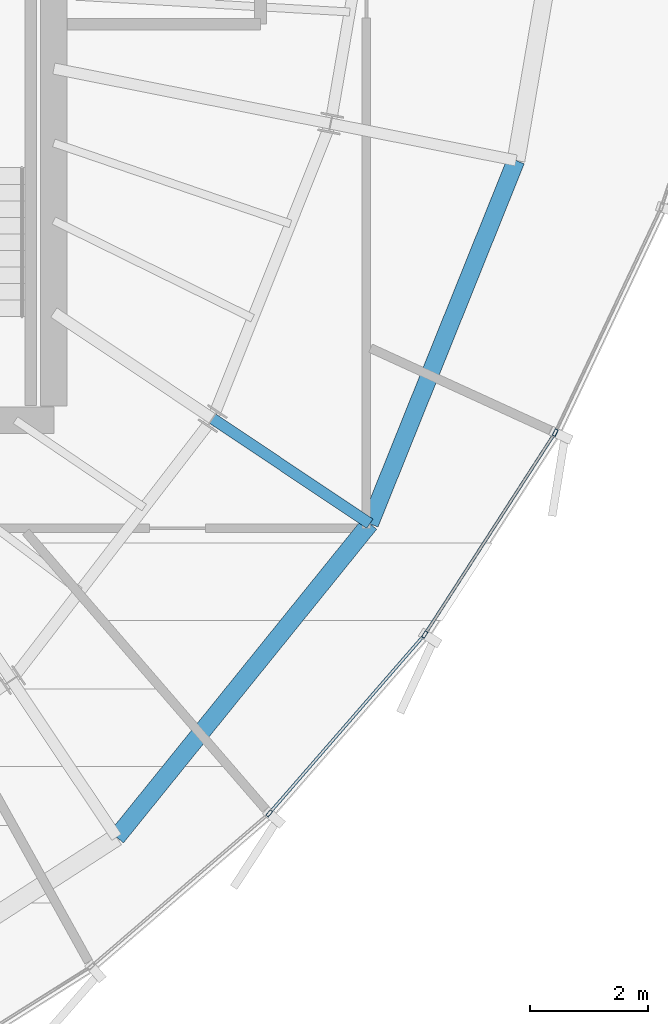
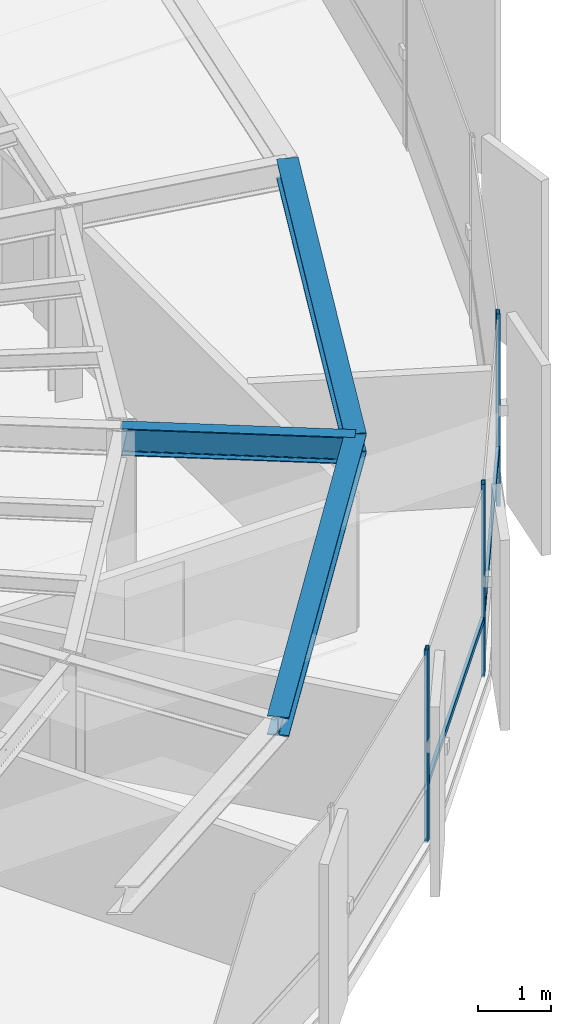
# One storey, part 13 of 35: 5 members, 3 beams, 1 element without a shape of its own.
"""IFC4 building model written with IfcOpenShell, lengths in metres."""

from ifc_helpers import new_model, si_unit, direction, frame, origin, origin_2d, place, context, subcontext, project, spatial, hollow_rectangle, i_section, extrude, source, transform, mapped, material, layer, layer_set, material_profile, profile_set, type_object, element, aggregate, save


model = new_model("IFC4")

# Units and contexts
model_context = context("Model", 3, precision=1e-05, world=origin(), true_north=direction((0.0, 1.0)))
body_context = subcontext(model_context, "Body", "Model", "MODEL_VIEW")
ifc_project = project(units=[si_unit("LENGTHUNIT", "METRE"), si_unit("AREAUNIT", "SQUARE_METRE"), si_unit("VOLUMEUNIT", "CUBIC_METRE"), si_unit("PLANEANGLEUNIT", "RADIAN"), si_unit("MASSUNIT", "GRAM", prefix="KILO"), si_unit("THERMODYNAMICTEMPERATUREUNIT", "KELVIN")], contexts=[model_context])

# Site, building, storey
site_placement = place(None, origin())
site = spatial("IfcSite", under=ifc_project, at=site_placement, CompositionType="ELEMENT")
building_placement = place(site_placement, origin())
building = spatial("IfcBuilding", under=site, at=building_placement, Name="Kethvar Cultural Tower", CompositionType="ELEMENT")
storey_placement = place(building_placement, frame((0.0, 0.0, 249.10009765625)))
storey = spatial("IfcBuildingStorey", under=building, at=storey_placement, Name="L65", CompositionType="ELEMENT", Elevation=249.10009765625)

# Beams
ifc_material_1 = material(Name="Steel S355J2", Category="steel")
ifc_material_profile_1 = material_profile(ifc_material_1, i_section(OverallWidth=0.18994140625, OverallDepth=0.449951171875, WebThickness=0.009521484375, FlangeThickness=0.0146484375, FilletRadius=0.02099609375, at=origin_2d()), Name="Steel S355J2 — IPE450")
ifc_profile_set_1 = profile_set([ifc_material_profile_1], Name="Steel S355J2 — IPE450")
beam_type_1 = type_object("IfcBeamType", Name="BM-IPE450", PredefinedType="BEAM", material=ifc_profile_set_1)
shared_shape_1 = source(origin(), body_context, "Body", "SweptSolid", [
    extrude(i_section(OverallWidth=0.18994140625, OverallDepth=0.449951171875, WebThickness=0.009521484375, FlangeThickness=0.0146484375, FilletRadius=0.02099609375, at=origin_2d()), origin(), (0.0, 0.0, 1.0), 3.199951171875),
])
beam_1_placement = place(storey_placement, frame((58.287109375, 20.12451171875, 2.98291015625), z_axis=(0.831462943996, -0.555580212716, 0.0), x_axis=(0.555580212716, 0.831462943996, 0.0)))
element("IfcBeam", 1, at=beam_1_placement, inside=storey, type_object=beam_type_1, Name="L65 Perimeter Cantilever Beam RC-15", PredefinedType="BEAM", context=body_context, shape_type="MappedRepresentation", body=[
    mapped(shared_shape_1, transform((0.0, 0.0, 0.0), scale=1.0)),
])
ifc_material_profile_2 = material_profile(ifc_material_1, i_section(OverallWidth=0.300048828125, OverallDepth=0.320068359375, WebThickness=0.011474609375, FlangeThickness=0.0205078125, FilletRadius=0.027099609375, at=origin_2d()), Name="Steel S355J2 — HEB320")
ifc_profile_set_2 = profile_set([ifc_material_profile_2], Name="Steel S355J2 — HEB320")
beam_type_2 = type_object("IfcBeamType", Name="BM-SP320", PredefinedType="SPANDREL", material=ifc_profile_set_2)
shared_shape_2 = source(origin(), body_context, "Body", "SweptSolid", [
    extrude(i_section(OverallWidth=0.300048828125, OverallDepth=0.320068359375, WebThickness=0.011474609375, FlangeThickness=0.0205078125, FilletRadius=0.027099609375, at=origin_2d()), origin(), (0.0, 0.0, 1.0), 6.8212890625),
])
beam_2_placement = place(storey_placement, frame((56.66259765625, 13.039306640625, 3.0478515625), z_axis=(0.628197971595, 0.778053538315, 0.0), x_axis=(-0.778053538315, 0.628197971595, 0.0)))
element("IfcBeam", 2, at=beam_2_placement, inside=storey, type_object=beam_type_2, Name="L65 Perimeter Spandrel Beam SP-14", PredefinedType="SPANDREL", context=body_context, shape_type="MappedRepresentation", body=[
    mapped(shared_shape_2, transform((0.0, 0.0, 0.0), scale=1.0)),
])
shared_shape_3 = source(origin(), body_context, "Body", "SweptSolid", [
    extrude(i_section(OverallWidth=0.300048828125, OverallDepth=0.320068359375, WebThickness=0.011474609375, FlangeThickness=0.0205078125, FilletRadius=0.027099609375, at=origin_2d()), origin(), (0.0, 0.0, 1.0), 6.626220703125),
])
beam_3_placement = place(storey_placement, frame((60.94775390625, 18.3466796875, 3.0478515625), z_axis=(0.373416224197, 0.927663906545, 0.0), x_axis=(-0.927663906545, 0.373416224197, 0.0)))
element("IfcBeam", 3, at=beam_3_placement, inside=storey, type_object=beam_type_2, Name="L65 Perimeter Spandrel Beam SP-15", PredefinedType="SPANDREL", context=body_context, shape_type="MappedRepresentation", body=[
    mapped(shared_shape_3, transform((0.0, 0.0, 0.0), scale=1.0)),
])

# Curtain wall, members
ifc_material_2 = material(Name="Aluminium 6063-T6", Category="aluminium")
ifc_layer = layer(ifc_material_2, 0.179931640625, Name="Aluminium 6063-T6", Category="aluminium")
ifc_layer_set = layer_set([ifc_layer], Name="Aluminium 6063-T6 (180 mm)")
curtain_wall_type = type_object("IfcCurtainWallType", Name="CW-SYS-05-Z56", PredefinedType="NOTDEFINED", material=ifc_layer_set)
curtain_wall_placement = place(storey_placement, origin())
curtain_wall = element("IfcCurtainWall", 4, at=curtain_wall_placement, inside=storey, type_object=curtain_wall_type, Name="L65 Curtain Wall Run 05", PredefinedType="NOTDEFINED")
ifc_material_profile_3 = material_profile(ifc_material_2, hollow_rectangle(XDim=0.054931640625, YDim=0.1201171875, WallThickness=0.00390625, at=origin_2d()), Name="Aluminium 6063-T6 — RHS120x55x4")
ifc_profile_set_3 = profile_set([ifc_material_profile_3], Name="Aluminium 6063-T6 — RHS120x55x4")
member_type_1 = type_object("IfcMemberType", Name="CW-SYS-05-Z56-MUL", PredefinedType="MULLION", material=ifc_profile_set_3)
shared_shape_4 = source(origin(), body_context, "Body", "SweptSolid", [
    extrude(hollow_rectangle(XDim=0.054931640625, YDim=0.1201171875, WallThickness=0.00390625, at=origin_2d()), origin(), (0.0, 0.0, 1.0), 3.2099609375),
])
member_1_placement = place(storey_placement, frame((59.244384765625, 13.443115234375, 0.0), z_axis=(0.0, 0.0, 1.0), x_axis=(-0.754686678983, 0.656085372925, 0.0)))
member_1 = element("IfcMember", 5, at=member_1_placement, type_object=member_type_1, Name="CW-L65-R05 Mullion 3", PredefinedType="MULLION", context=body_context, shape_type="MappedRepresentation", body=[
    mapped(shared_shape_4, transform((0.0, 0.0, 0.0), scale=1.0)),
])
member_2_placement = place(storey_placement, frame((61.877685546875, 16.470458984375, 0.0), z_axis=(0.0, 0.0, 1.0), x_axis=(-0.840055682288, 0.542500184935, 0.0)))
member_2 = element("IfcMember", 6, at=member_2_placement, type_object=member_type_1, Name="CW-L65-R05 Mullion 4", PredefinedType="MULLION", context=body_context, shape_type="MappedRepresentation", body=[
    mapped(shared_shape_4, transform((0.0, 0.0, 0.0), scale=1.0)),
])
member_3_placement = place(storey_placement, frame((64.08544921875, 19.8876953125, 0.0), z_axis=(0.0, 0.0, 1.0), x_axis=(-0.904641185076, 0.426174056302, 0.0)))
member_3 = element("IfcMember", 7, at=member_3_placement, type_object=member_type_1, Name="CW-L65-R05 Mullion 5", PredefinedType="MULLION", context=body_context, shape_type="MappedRepresentation", body=[
    mapped(shared_shape_4, transform((0.0, 0.0, 0.0), scale=1.0)),
])
ifc_material_profile_4 = material_profile(ifc_material_2, hollow_rectangle(XDim=0.050048828125, YDim=0.10009765625, WallThickness=0.00390625, at=origin_2d()), Name="Aluminium 6063-T6 — RHS100x50x4")
ifc_profile_set_4 = profile_set([ifc_material_profile_4], Name="Aluminium 6063-T6 — RHS100x50x4")
member_type_2 = type_object("IfcMemberType", Name="CW-SYS-05-Z56-TRN", PredefinedType="USERDEFINED", material=ifc_profile_set_4)
shared_shape_5 = source(origin(), body_context, "Body", "SweptSolid", [
    extrude(hollow_rectangle(XDim=0.050048828125, YDim=0.10009765625, WallThickness=0.00390625, at=origin_2d()), origin(), (0.0, 0.0, 1.0), 3.947265625),
])
member_4_placement = place(storey_placement, frame((59.2705078125, 13.47314453125, 0.949951171875), z_axis=(0.656123585869, 0.754653456937, 0.0), x_axis=(-0.754653456937, 0.656123585869, 0.0)))
member_4 = element("IfcMember", 8, at=member_4_placement, type_object=member_type_2, Name="CW-L65-R05 Transom 3", ObjectType="TRANSOM", PredefinedType="USERDEFINED", context=body_context, shape_type="MappedRepresentation", body=[
    mapped(shared_shape_5, transform((0.0, 0.0, 0.0), scale=1.0)),
])
shared_shape_6 = source(origin(), body_context, "Body", "SweptSolid", [
    extrude(hollow_rectangle(XDim=0.050048828125, YDim=0.10009765625, WallThickness=0.00390625, at=origin_2d()), origin(), (0.0, 0.0, 1.0), 4.002197265625),
])
member_5_placement = place(storey_placement, frame((61.899169921875, 16.50390625, 0.949951171875), z_axis=(0.542492248864, 0.840060807277, 0.0), x_axis=(-0.840060807277, 0.542492248864, 0.0)))
member_5 = element("IfcMember", 9, at=member_5_placement, type_object=member_type_2, Name="CW-L65-R05 Transom 4", ObjectType="TRANSOM", PredefinedType="USERDEFINED", context=body_context, shape_type="MappedRepresentation", body=[
    mapped(shared_shape_6, transform((0.0, 0.0, 0.0), scale=1.0)),
])
aggregate(curtain_wall, [member_1, member_2, member_3, member_4, member_5])

save(model, "model.ifc")
